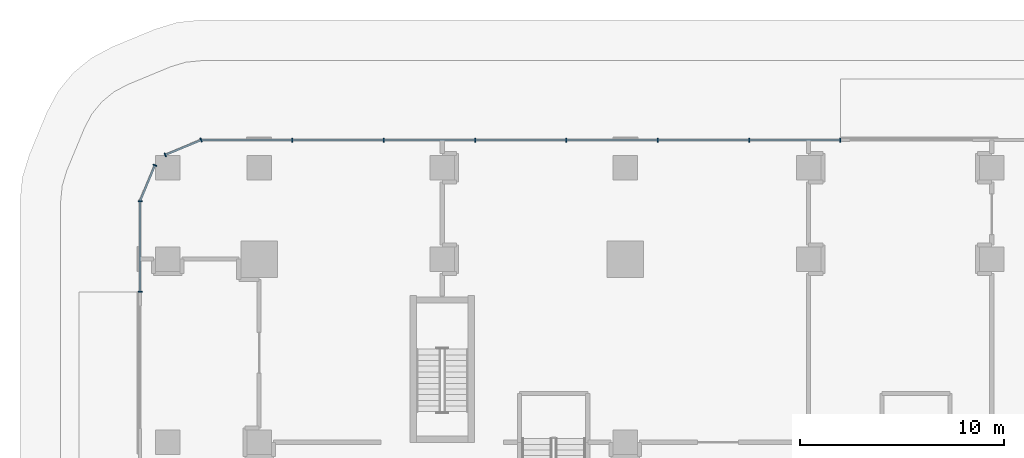
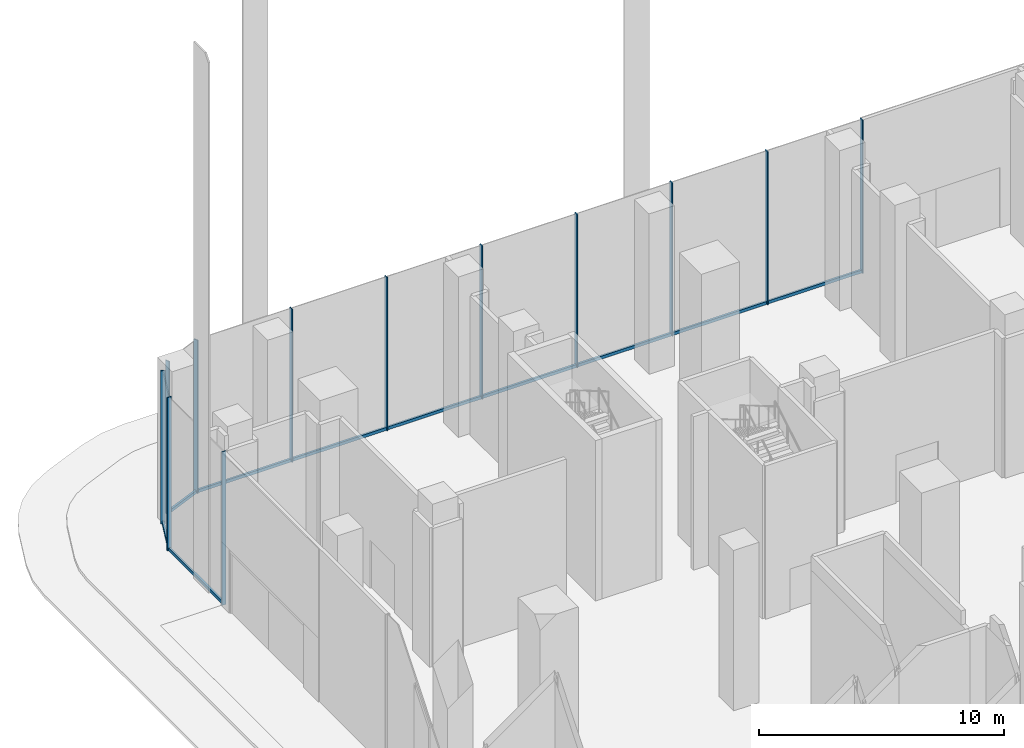
# One storey, part 11 of 42: 16 members, 4 elements without a shape of their own.
"""IFC4 building model written with IfcOpenShell, lengths in metres."""

from ifc_helpers import new_model, si_unit, direction, frame, origin, origin_2d, place, context, subcontext, project, spatial, rectangle, extrude, material, layer, layer_set, material_profile, profile_set, type_object, element, aggregate, save


model = new_model("IFC4")

# Units and contexts
model_context = context("Model", 3, precision=1e-05, world=origin(), true_north=direction((0.0, 1.0)))
body_context = subcontext(model_context, "Body", "Model", "MODEL_VIEW")
ifc_project = project(units=[si_unit("LENGTHUNIT", "METRE"), si_unit("AREAUNIT", "SQUARE_METRE"), si_unit("VOLUMEUNIT", "CUBIC_METRE"), si_unit("PLANEANGLEUNIT", "RADIAN"), si_unit("MASSUNIT", "GRAM", prefix="KILO")], contexts=[model_context])

# Site, building, storey
site_placement = place(None, origin())
site = spatial("IfcSite", under=ifc_project, at=site_placement, CompositionType="ELEMENT")
building_placement = place(site_placement, origin())
building = spatial("IfcBuilding", under=site, at=building_placement, Name="Plateau Cross Towers", CompositionType="ELEMENT")
storey_placement = place(building_placement, origin())
storey = spatial("IfcBuildingStorey", under=building, at=storey_placement, Name="L00", CompositionType="ELEMENT", Elevation=0.0)

# Curtain wall, members
ifc_material_1 = material(Name="Dark low-iron laminated glass", Category="glass")
ifc_layer = layer(ifc_material_1, 0.300048828125)
ifc_layer_set = layer_set([ifc_layer], Name="Dark low-iron laminated glass")
curtain_wall_type = type_object("IfcCurtainWallType", Name="Curtain wall structural silicone CW-C", PredefinedType="NOTDEFINED", material=ifc_layer_set)
curtain_wall_1_placement = place(storey_placement, origin())
curtain_wall_1 = element("IfcCurtainWall", 1, at=curtain_wall_1_placement, inside=storey, type_object=curtain_wall_type, Name="ENV/P/L00/P286_598", PredefinedType="NOTDEFINED")
ifc_material_2 = material(Name="Black anodised aluminium", Category="aluminium")
ifc_material_profile_1 = material_profile(ifc_material_2, rectangle(XDim=0.050048828125, YDim=0.199951171875, at=origin_2d()), Name="MULLION 50x200")
ifc_profile_set_1 = profile_set([ifc_material_profile_1], Name="Black anodised aluminium")
member_type_1 = type_object("IfcMemberType", Name="Mullion 50x200 structural silicone", PredefinedType="MULLION", material=ifc_profile_set_1)
member_1_placement = place(storey_placement, frame((28.5625, 59.85009765625, 0.0), z_axis=(0.0, 0.0, 1.0), x_axis=(-1.0, 0.0, 0.0)))
member_1 = element("IfcMember", 2, at=member_1_placement, type_object=member_type_1, Name="CW-C mullion 1", PredefinedType="MULLION", context=body_context, shape_type="SweptSolid", body=[
    extrude(rectangle(XDim=0.050048828125, YDim=0.199951171875, at=origin_2d()), origin(), (0.0, 0.0, 1.0), 7.64990234375),
])
member_2_placement = place(storey_placement, frame((24.074951171875, 59.85009765625, 0.0), z_axis=(0.0, 0.0, 1.0), x_axis=(-1.0, 0.0, 0.0)))
member_2 = element("IfcMember", 3, at=member_2_placement, type_object=member_type_1, Name="CW-C mullion 2", PredefinedType="MULLION", context=body_context, shape_type="SweptSolid", body=[
    extrude(rectangle(XDim=0.050048828125, YDim=0.199951171875, at=origin_2d()), origin(), (0.0, 0.0, 1.0), 7.64990234375),
])
member_3_placement = place(storey_placement, frame((19.58740234375, 59.85009765625, 0.0), z_axis=(0.0, 0.0, 1.0), x_axis=(-1.0, 0.0, 0.0)))
member_3 = element("IfcMember", 4, at=member_3_placement, type_object=member_type_1, Name="CW-C mullion 3", PredefinedType="MULLION", context=body_context, shape_type="SweptSolid", body=[
    extrude(rectangle(XDim=0.050048828125, YDim=0.199951171875, at=origin_2d()), origin(), (0.0, 0.0, 1.0), 7.64990234375),
])
member_4_placement = place(storey_placement, frame((15.10009765625, 59.85009765625, 0.0), z_axis=(0.0, 0.0, 1.0), x_axis=(-1.0, 0.0, 0.0)))
member_4 = element("IfcMember", 5, at=member_4_placement, type_object=member_type_1, Name="CW-C mullion 4", PredefinedType="MULLION", context=body_context, shape_type="SweptSolid", body=[
    extrude(rectangle(XDim=0.050048828125, YDim=0.199951171875, at=origin_2d()), origin(), (0.0, 0.0, 1.0), 7.64990234375),
])
member_5_placement = place(storey_placement, frame((10.612548828125, 59.85009765625, 0.0), z_axis=(0.0, 0.0, 1.0), x_axis=(-1.0, 0.0, 0.0)))
member_5 = element("IfcMember", 6, at=member_5_placement, type_object=member_type_1, Name="CW-C mullion 5", PredefinedType="MULLION", context=body_context, shape_type="SweptSolid", body=[
    extrude(rectangle(XDim=0.050048828125, YDim=0.199951171875, at=origin_2d()), origin(), (0.0, 0.0, 1.0), 7.64990234375),
])
member_6_placement = place(storey_placement, frame((6.125, 59.85009765625, 0.0), z_axis=(0.0, 0.0, 1.0), x_axis=(-1.0, 0.0, 0.0)))
member_6 = element("IfcMember", 7, at=member_6_placement, type_object=member_type_1, Name="CW-C mullion 6", PredefinedType="MULLION", context=body_context, shape_type="SweptSolid", body=[
    extrude(rectangle(XDim=0.050048828125, YDim=0.199951171875, at=origin_2d()), origin(), (0.0, 0.0, 1.0), 7.64990234375),
])
member_7_placement = place(storey_placement, frame((1.637451171875, 59.85009765625, 0.0), z_axis=(0.0, 0.0, 1.0), x_axis=(-1.0, 0.0, 0.0)))
member_7 = element("IfcMember", 8, at=member_7_placement, type_object=member_type_1, Name="CW-C mullion 7", PredefinedType="MULLION", context=body_context, shape_type="SweptSolid", body=[
    extrude(rectangle(XDim=0.050048828125, YDim=0.199951171875, at=origin_2d()), origin(), (0.0, 0.0, 1.0), 7.64990234375),
])

curtain_wall_2_placement = place(storey_placement, origin())
curtain_wall_2 = element("IfcCurtainWall", 9, at=curtain_wall_2_placement, inside=storey, type_object=curtain_wall_type, Name="ENV/P/L00/P-28_598", PredefinedType="NOTDEFINED")
member_8_placement = place(storey_placement, frame((-2.85009765625, 59.85009765625, 0.0), z_axis=(0.0, 0.0, 1.0), x_axis=(-0.923879457699, -0.382683612978, 0.0)))
member_8 = element("IfcMember", 10, at=member_8_placement, type_object=member_type_1, Name="CW-C mullion 1", PredefinedType="MULLION", context=body_context, shape_type="SweptSolid", body=[
    extrude(rectangle(XDim=0.050048828125, YDim=0.199951171875, at=origin_2d()), origin(), (0.0, 0.0, 1.0), 7.64990234375),
])
member_9_placement = place(storey_placement, frame((-4.6123046875, 59.1201171875, 0.0), z_axis=(0.0, 0.0, 1.0), x_axis=(-0.923879457699, -0.382683612978, 0.0)))
member_9 = element("IfcMember", 11, at=member_9_placement, type_object=member_type_1, Name="CW-C mullion 2", PredefinedType="MULLION", context=body_context, shape_type="SweptSolid", body=[
    extrude(rectangle(XDim=0.050048828125, YDim=0.199951171875, at=origin_2d()), origin(), (0.0, 0.0, 1.0), 7.64990234375),
])

# Curtain wall, member
curtain_wall_3_placement = place(storey_placement, origin())
curtain_wall_3 = element("IfcCurtainWall", 12, at=curtain_wall_3_placement, inside=storey, type_object=curtain_wall_type, Name="ENV/P/L00/P-51_586", PredefinedType="NOTDEFINED")
member_10_placement = place(storey_placement, frame((-5.1201171875, 58.6123046875, 0.0), z_axis=(0.0, 0.0, 1.0), x_axis=(-0.382683612978, -0.923879457699, 0.0)))
member_10 = element("IfcMember", 13, at=member_10_placement, type_object=member_type_1, Name="CW-C mullion 1", PredefinedType="MULLION", context=body_context, shape_type="SweptSolid", body=[
    extrude(rectangle(XDim=0.050048828125, YDim=0.199951171875, at=origin_2d()), origin(), (0.0, 0.0, 1.0), 7.64990234375),
])

# Curtain wall, members
curtain_wall_4_placement = place(storey_placement, origin())
curtain_wall_4 = element("IfcCurtainWall", 14, at=curtain_wall_4_placement, inside=storey, type_object=curtain_wall_type, Name="ENV/P/L00/P-58_568", PredefinedType="NOTDEFINED")
member_11_placement = place(storey_placement, frame((-5.85009765625, 56.85009765625, 0.0), z_axis=(0.0, 0.0, 1.0), x_axis=(0.0, -1.0, 0.0)))
member_11 = element("IfcMember", 15, at=member_11_placement, type_object=member_type_1, Name="CW-C mullion 1", PredefinedType="MULLION", context=body_context, shape_type="SweptSolid", body=[
    extrude(rectangle(XDim=0.050048828125, YDim=0.199951171875, at=origin_2d()), origin(), (0.0, 0.0, 1.0), 7.64990234375),
])
member_12_placement = place(storey_placement, frame((-5.85009765625, 52.385009765625, 0.0), z_axis=(0.0, 0.0, 1.0), x_axis=(0.0, -1.0, 0.0)))
member_12 = element("IfcMember", 16, at=member_12_placement, type_object=member_type_1, Name="CW-C mullion 2", PredefinedType="MULLION", context=body_context, shape_type="SweptSolid", body=[
    extrude(rectangle(XDim=0.050048828125, YDim=0.199951171875, at=origin_2d()), origin(), (0.0, 0.0, 1.0), 7.64990234375),
])

# Member
ifc_material_profile_2 = material_profile(ifc_material_2, rectangle(XDim=0.10009765625, YDim=0.14990234375, at=origin_2d()), Name="TRANSOM 100x150")
ifc_profile_set_2 = profile_set([ifc_material_profile_2], Name="Black anodised aluminium")
member_type_2 = type_object("IfcMemberType", Name="Transom 100x150 structural silicone", PredefinedType="USERDEFINED", material=ifc_profile_set_2)
member_13_placement = place(storey_placement, frame((28.5625, 59.85009765625, 0.074951171875), z_axis=(-1.0, 0.0, 0.0), x_axis=(0.0, -1.0, 0.0)))
member_13 = element("IfcMember", 17, at=member_13_placement, type_object=member_type_2, Name="CW-C transom", ObjectType="TRANSOM", PredefinedType="USERDEFINED", context=body_context, shape_type="SweptSolid", body=[
    extrude(rectangle(XDim=0.10009765625, YDim=0.14990234375, at=origin_2d()), origin(), (0.0, 0.0, 1.0), 31.41259765625),
])

aggregate(curtain_wall_1, [member_1, member_2, member_3, member_4, member_5, member_6, member_7, member_13])

member_14_placement = place(storey_placement, frame((-2.85009765625, 59.85009765625, 0.074951171875), z_axis=(-0.923870187147, -0.38270599329, 0.0), x_axis=(0.38270599329, -0.923870187147, 0.0)))
member_14 = element("IfcMember", 18, at=member_14_placement, type_object=member_type_2, Name="CW-C transom", ObjectType="TRANSOM", PredefinedType="USERDEFINED", context=body_context, shape_type="SweptSolid", body=[
    extrude(rectangle(XDim=0.10009765625, YDim=0.14990234375, at=origin_2d()), origin(), (0.0, 0.0, 1.0), 1.907470703125),
])

aggregate(curtain_wall_2, [member_8, member_9, member_14])

member_15_placement = place(storey_placement, frame((-5.1201171875, 58.6123046875, 0.074951171875), z_axis=(-0.38270599329, -0.923870187147, 0.0), x_axis=(0.923870187147, -0.38270599329, 0.0)))
member_15 = element("IfcMember", 19, at=member_15_placement, type_object=member_type_2, Name="CW-C transom", ObjectType="TRANSOM", PredefinedType="USERDEFINED", context=body_context, shape_type="SweptSolid", body=[
    extrude(rectangle(XDim=0.10009765625, YDim=0.14990234375, at=origin_2d()), origin(), (0.0, 0.0, 1.0), 1.907470703125),
])

aggregate(curtain_wall_3, [member_10, member_15])

member_16_placement = place(storey_placement, frame((-5.85009765625, 56.85009765625, 0.074951171875), z_axis=(0.0, -1.0, 0.0), x_axis=(1.0, 0.0, 0.0)))
member_16 = element("IfcMember", 20, at=member_16_placement, type_object=member_type_2, Name="CW-C transom", ObjectType="TRANSOM", PredefinedType="USERDEFINED", context=body_context, shape_type="SweptSolid", body=[
    extrude(rectangle(XDim=0.10009765625, YDim=0.14990234375, at=origin_2d()), origin(), (0.0, 0.0, 1.0), 4.465087890625),
])

aggregate(curtain_wall_4, [member_11, member_12, member_16])

save(model, "model.ifc")
